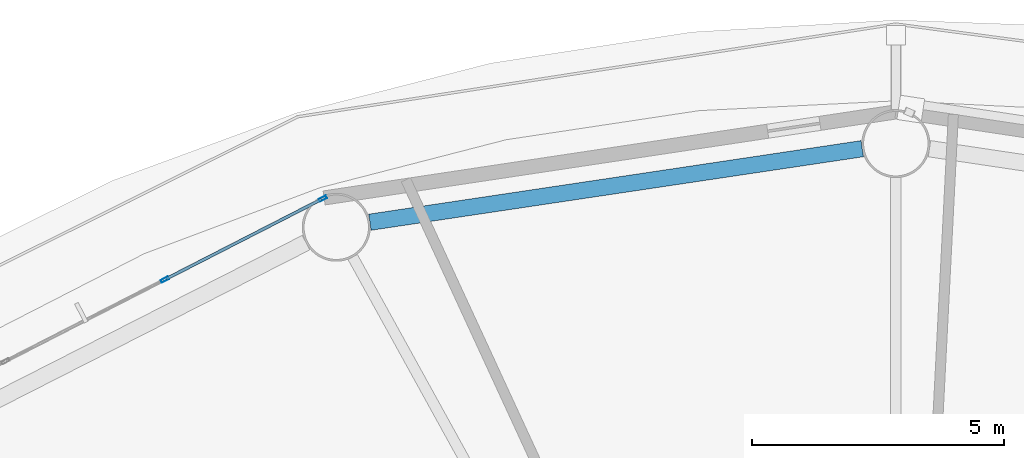
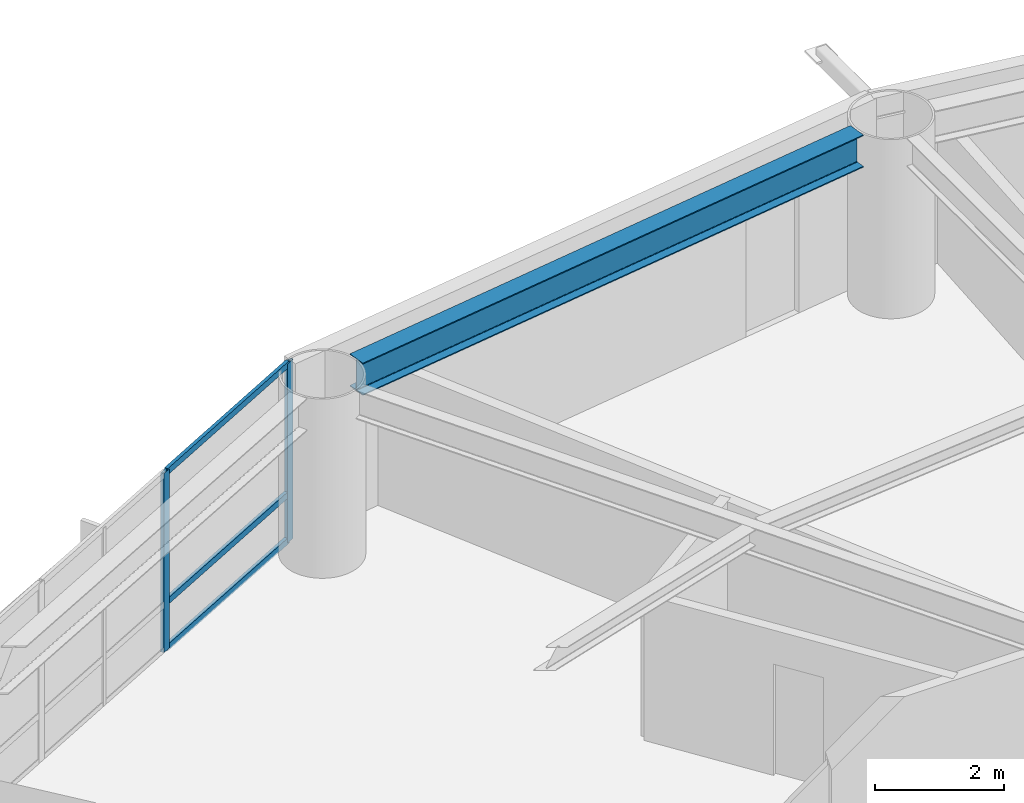
# One storey, part 10 of 24: 5 members, 1 beam, 1 element without a shape of its own.
"""IFC4 building model written with IfcOpenShell, lengths in metres."""

import ifcopenshell
import ifcopenshell.guid

model = None  # the IFC model being written
_history = None  # IfcOwnerHistory: only IFC2X3 demands one
_inside = {}  # id of a spatial element -> (the spatial element, [elements in it])
_under = {}  # id of a project, library or spatial element -> (it, [spatial elements below it])
_declared = {}  # id of a project -> (the project, [libraries it declares])
_typed = {}  # id of a type object -> (the type object, [elements of that type])
_made_of = {}  # id of a material, layer set ... -> (it, [elements and type objects made of it])


def new_model(schema):
    """Start an empty IFC model of exactly this schema.

    Asked for "IFC4X3", IfcOpenShell would pick the latest addendum, in which some entities
    have other attributes; the version numbers below select the first issue.
    IFC2X3 requires an IfcOwnerHistory on every rooted entity: one is made here for all.
    """
    global model, _history
    if schema == "IFC4X3":
        model = ifcopenshell.file(schema_version=(4, 3, 0, 0))
    else:
        model = ifcopenshell.file(schema=schema)
    _inside.clear()
    _under.clear()
    _declared.clear()
    _typed.clear()
    _made_of.clear()
    _history = None
    if model.schema == "IFC2X3":
        org = make("IfcOrganization", Name="unknown")
        user = make(
            "IfcPersonAndOrganization",
            ThePerson=make("IfcPerson", FamilyName="unknown"),
            TheOrganization=org,
        )
        app = make(
            "IfcApplication",
            ApplicationDeveloper=org,
            Version="unknown",
            ApplicationFullName="unknown",
            ApplicationIdentifier="unknown",
        )
        _history = make(
            "IfcOwnerHistory",
            OwningUser=user,
            OwningApplication=app,
            ChangeAction="ADDED",
            CreationDate=0,
        )
    return model


def make(cls, **values):
    """One entity of the class cls with the attributes given. An attribute that is None is left unset."""
    return model.create_entity(
        cls, **{name: value for name, value in values.items() if value is not None}
    )


def rooted(cls, **values):
    """An entity with a GlobalId (a new one), such as an element, a storey or a relation."""
    return make(cls, GlobalId=ifcopenshell.guid.new(), OwnerHistory=_history, **values)


def si_unit(unit_type, name, prefix=None):
    """IfcSIUnit, for example si_unit("LENGTHUNIT", "METRE", prefix="MILLI")."""
    return make("IfcSIUnit", UnitType=unit_type, Prefix=prefix, Name=name)


def assignment(units):
    """IfcUnitAssignment: the units of a project."""
    return None if units is None else make("IfcUnitAssignment", Units=units)


def point(xyz):
    """IfcCartesianPoint."""
    return None if xyz is None else make("IfcCartesianPoint", Coordinates=xyz)


def direction(xyz):
    """IfcDirection."""
    return None if xyz is None else make("IfcDirection", DirectionRatios=xyz)


def frame(location, z_axis=None, x_axis=None):
    """IfcAxis2Placement3D, a coordinate frame: its origin and axes. An axis left out is left unset."""
    return make(
        "IfcAxis2Placement3D",
        Location=point(location),
        Axis=direction(z_axis),
        RefDirection=direction(x_axis),
    )


def frame_2d(location, x_axis=None):
    """IfcAxis2Placement2D, a coordinate frame in the plane: its origin and x axis."""
    return make(
        "IfcAxis2Placement2D", Location=point(location), RefDirection=direction(x_axis)
    )


def origin():
    """The frame at (0, 0, 0) with its axes left unset."""
    return frame((0.0, 0.0, 0.0))


def origin_2d():
    """The frame at (0, 0) in the plane with its x axis left unset."""
    return frame_2d((0.0, 0.0))


def place(relative_to, where):
    """IfcLocalPlacement: puts the frame where relative to a parent placement (None: the world)."""
    return make(
        "IfcLocalPlacement", PlacementRelTo=relative_to, RelativePlacement=where
    )


def context(
    kind, dimensions, precision=None, world=None, true_north=None, identifier=None
):
    """IfcGeometricRepresentationContext, for example the 3D "Model" context."""
    return make(
        "IfcGeometricRepresentationContext",
        ContextIdentifier=identifier,
        ContextType=kind,
        CoordinateSpaceDimension=dimensions,
        Precision=precision,
        WorldCoordinateSystem=world,
        TrueNorth=true_north,
    )


def subcontext(parent, identifier, kind, view, scale=None):
    """IfcGeometricRepresentationSubContext, for example "Body" below "Model"."""
    return make(
        "IfcGeometricRepresentationSubContext",
        ContextIdentifier=identifier,
        ContextType=kind,
        ParentContext=parent,
        TargetScale=scale,
        TargetView=view,
    )


def project(units=None, contexts=None):
    """IfcProject with its units and contexts."""
    return rooted(
        "IfcProject",
        Name="project",
        RepresentationContexts=contexts,
        UnitsInContext=assignment(units),
    )


def spatial(cls, under=None, at=None, **own):
    """A site, building, storey or space (cls), placed at a placement, below another one or the project."""
    s = rooted(cls, ObjectPlacement=at, **own)
    if under is not None:
        _under.setdefault(under.id(), (under, []))[1].append(s)
    return s


def profile(cls, at=None, kind="AREA", **sizes):
    """A parametric profile (cls). Its sizes go by their IFC names, for example OverallWidth=200.0."""
    return make(cls, ProfileType=kind, Position=at, **sizes)


def hollow_rectangle(**sizes):
    """IfcRectangleHollowProfileDef."""
    return profile("IfcRectangleHollowProfileDef", **sizes)


def i_section(**sizes):
    """IfcIShapeProfileDef."""
    return profile("IfcIShapeProfileDef", **sizes)


def extrude(swept, where, along, depth):
    """IfcExtrudedAreaSolid: the profile swept, set in the frame where, extruded along a direction by depth."""
    return make(
        "IfcExtrudedAreaSolid",
        SweptArea=swept,
        Position=where,
        ExtrudedDirection=direction(along),
        Depth=depth,
    )


def shape(context_of_items, identifier, shape_type, items):
    """IfcShapeRepresentation: the items that make up one representation, for example the "Body"."""
    return make(
        "IfcShapeRepresentation",
        ContextOfItems=context_of_items,
        RepresentationIdentifier=identifier,
        RepresentationType=shape_type,
        Items=items,
    )


def material(Name=None, Category=None):
    """IfcMaterial."""
    return make("IfcMaterial", Name=Name, Category=Category)


def layer(
    of_material, thickness, ventilated=None, Name=None, Category=None, Priority=None
):
    """IfcMaterialLayer: one layer of a wall or slab, of a material (None: an air gap)."""
    return make(
        "IfcMaterialLayer",
        Material=of_material,
        LayerThickness=thickness,
        IsVentilated=ventilated,
        Name=Name,
        Category=Category,
        Priority=Priority,
    )


def layer_set(layers, Name=None):
    """IfcMaterialLayerSet."""
    return make("IfcMaterialLayerSet", MaterialLayers=layers, LayerSetName=Name)


def material_profile(
    of_material, cross_section, Name=None, Category=None, Priority=None
):
    """IfcMaterialProfile: a cross section and its material."""
    return make(
        "IfcMaterialProfile",
        Name=Name,
        Material=of_material,
        Profile=cross_section,
        Priority=Priority,
        Category=Category,
    )


def profile_set(profiles, Name=None, composite=None):
    """IfcMaterialProfileSet."""
    return make(
        "IfcMaterialProfileSet",
        Name=Name,
        MaterialProfiles=profiles,
        CompositeProfile=composite,
    )


def made_of(thing, what):
    """Note that an element or type object is made of a material, layer set ...; save() writes the relation."""
    if what is not None:
        _made_of.setdefault(what.id(), (what, []))[1].append(thing)
    return thing


def type_object(cls, material=None, **own):
    """A type object (cls), such as IfcWallType, which elements share."""
    return made_of(rooted(cls, **own), material)


def element(
    cls,
    number,
    at=None,
    inside=None,
    cuts=None,
    type_object=None,
    material=None,
    context=None,
    identifier="Body",
    shape_type=None,
    held_by="IfcProductDefinitionShape",
    body=None,
    shapes=None,
    **own,
):
    """One element of the class cls, such as IfcWall. Its Tag is "e" and its number.

    at: its placement. inside: the storey or other place that contains it. cuts: it is an
    opening in that element (IfcRelVoidsElement). A single representation is given by context,
    identifier, shape_type and body (its items); several are given by shapes. held_by: the class
    of the entity that holds the representations. save() writes the other relations.
    """
    e = rooted(cls, Tag="e%d" % number, ObjectPlacement=at, **own)
    if body is not None:
        shapes = [shape(context, identifier, shape_type, body)]
    if shapes is not None:
        e.Representation = make(held_by, Representations=shapes)
    if inside is not None:
        _inside.setdefault(inside.id(), (inside, []))[1].append(e)
    if cuts is not None:
        rooted(
            "IfcRelVoidsElement", RelatingBuildingElement=cuts, RelatedOpeningElement=e
        )
    if type_object is not None:
        _typed.setdefault(type_object.id(), (type_object, []))[1].append(e)
    return made_of(e, material)


def aggregate(whole, parts):
    """IfcRelAggregates: a whole, such as a stair, and the parts it consists of."""
    return rooted("IfcRelAggregates", RelatingObject=whole, RelatedObjects=parts)


def save(model, path):
    """Write the relations noted so far, then the file.

    IfcRelAggregates (storeys below a building ...), IfcRelContainedInSpatialStructure (elements
    in a storey), IfcRelDefinesByType, IfcRelAssociatesMaterial and IfcRelDeclares: one each for
    every whole, place, type object, material and project.
    """
    for whole, parts in _under.values():
        aggregate(whole, parts)
    for where, things in _inside.values():
        rooted(
            "IfcRelContainedInSpatialStructure",
            RelatedElements=things,
            RelatingStructure=where,
        )
    for kind, things in _typed.values():
        rooted("IfcRelDefinesByType", RelatedObjects=things, RelatingType=kind)
    for what, things in _made_of.values():
        rooted("IfcRelAssociatesMaterial", RelatedObjects=things, RelatingMaterial=what)
    for by, libraries in _declared.values():
        rooted("IfcRelDeclares", RelatingContext=by, RelatedDefinitions=libraries)
    model.write(path)


model = new_model("IFC4")

# Units and contexts
model_context = context("Model", 3, precision=1e-05, world=origin(), true_north=direction((0.0, 1.0)))
body_context = subcontext(model_context, "Body", "Model", "MODEL_VIEW")
ifc_project = project(units=[si_unit("LENGTHUNIT", "METRE"), si_unit("AREAUNIT", "SQUARE_METRE"), si_unit("VOLUMEUNIT", "CUBIC_METRE"), si_unit("PLANEANGLEUNIT", "RADIAN"), si_unit("MASSUNIT", "GRAM", prefix="KILO")], contexts=[model_context])

# Site, building, storey
site_placement = place(None, origin())
site = spatial("IfcSite", under=ifc_project, at=site_placement, CompositionType="ELEMENT")
building_placement = place(site_placement, origin())
building = spatial("IfcBuilding", under=site, at=building_placement, Name="Sarneth Arch Tower", CompositionType="ELEMENT")
storey_placement = place(building_placement, frame((0.0, 0.0, 91.199951171875)))
storey = spatial("IfcBuildingStorey", under=building, at=storey_placement, Name="L22", CompositionType="ELEMENT", Elevation=91.199951171875)

# Beam
ifc_material_1 = material(Name="Steel S355", Category="steel")
ifc_material_profile_1 = material_profile(ifc_material_1, i_section(OverallWidth=0.323974609375, OverallDepth=0.611083984375, WebThickness=0.0126953125, FlangeThickness=0.01904296875, FilletRadius=0.01904296875, at=origin_2d()), Name="W610x155")
ifc_profile_set_1 = profile_set([ifc_material_profile_1], Name="Steel S355")
beam_type = type_object("IfcBeamType", Name="BM-SPAN-610B", PredefinedType="SPANDREL", material=ifc_profile_set_1)
beam_placement = place(storey_placement, frame((47.33251953125, 63.7001953125, 3.074462890625), z_axis=(-0.989029828744, -0.147715936359, 0.0), x_axis=(0.147715936359, -0.989029828744, 0.0)))
element("IfcBeam", 1, at=beam_placement, inside=storey, type_object=beam_type, Name="L22 Perimeter spandrel beam 05", PredefinedType="SPANDREL", context=body_context, shape_type="SweptSolid", body=[
    extrude(i_section(OverallWidth=0.323974609375, OverallDepth=0.611083984375, WebThickness=0.0126953125, FlangeThickness=0.01904296875, FilletRadius=0.01904296875, at=origin_2d()), origin(), (0.0, 0.0, 1.0), 9.883544921875),
])

# Curtain wall, members
ifc_material_2 = material(Name="Anodised aluminium Type AA25 and solar-control low-e laminated IGU", Category="aluminium")
ifc_layer = layer(ifc_material_2, 0.159912109375)
ifc_layer_set = layer_set([ifc_layer], Name="Anodised aluminium Type AA25 and solar-control low-e laminated IGU")
curtain_wall_type = type_object("IfcCurtainWallType", Name="CW-HOTEL-MID", PredefinedType="NOTDEFINED", material=ifc_layer_set)
curtain_wall_placement = place(storey_placement, origin())
curtain_wall = element("IfcCurtainWall", 2, at=curtain_wall_placement, inside=storey, type_object=curtain_wall_type, Name="L22 Unitised curtain wall facet 06", PredefinedType="NOTDEFINED")
ifc_material_3 = material(Name="Anodised Aluminium 6063-T6", Category="aluminium")
ifc_material_profile_2 = material_profile(ifc_material_3, hollow_rectangle(XDim=0.06005859375, YDim=0.159912109375, WallThickness=0.00390625, at=origin_2d()), Name="AL-MULL-160x60x4")
ifc_profile_set_2 = profile_set([ifc_material_profile_2], Name="Anodised Aluminium 6063-T6")
member_type_1 = type_object("IfcMemberType", Name="CW-MULLION", PredefinedType="MULLION", material=ifc_profile_set_2)
member_1_placement = place(storey_placement, frame((36.6220703125, 62.708984375, 0.0), z_axis=(0.0, 0.0, 1.0), x_axis=(0.456031365356, -0.889963703649, 0.0)))
member_1 = element("IfcMember", 3, at=member_1_placement, type_object=member_type_1, Name="CW-SYS-4 mullion 1", PredefinedType="MULLION", context=body_context, shape_type="SweptSolid", body=[
    extrude(hollow_rectangle(XDim=0.06005859375, YDim=0.159912109375, WallThickness=0.00390625, at=origin_2d()), origin(), (0.0, 0.0, 1.0), 3.380126953125),
])
member_2_placement = place(storey_placement, frame((33.48583984375, 61.101806640625, 0.0), z_axis=(0.0, 0.0, 1.0), x_axis=(0.456031365356, -0.889963703649, 0.0)))
member_2 = element("IfcMember", 4, at=member_2_placement, type_object=member_type_1, Name="CW-SYS-4 mullion 2", PredefinedType="MULLION", context=body_context, shape_type="SweptSolid", body=[
    extrude(hollow_rectangle(XDim=0.06005859375, YDim=0.159912109375, WallThickness=0.00390625, at=origin_2d()), origin(), (0.0, 0.0, 1.0), 3.380126953125),
])
ifc_material_4 = material(Name="Anodised Aluminium 6063-T6", Category="aluminium")
ifc_material_profile_3 = material_profile(ifc_material_4, hollow_rectangle(XDim=0.06005859375, YDim=0.1201171875, WallThickness=0.00390625, at=origin_2d()), Name="AL-TRAN-120x60x4")
ifc_profile_set_3 = profile_set([ifc_material_profile_3], Name="Anodised Aluminium 6063-T6")
member_type_2 = type_object("IfcMemberType", Name="CW-TRANSOM", PredefinedType="USERDEFINED", material=ifc_profile_set_3)
member_3_placement = place(storey_placement, frame((36.595458984375, 62.6953125, 0.030029296875), z_axis=(-0.889957563627, -0.456043347658, 0.0), x_axis=(0.456043347658, -0.889957563627, 0.0)))
member_3 = element("IfcMember", 5, at=member_3_placement, type_object=member_type_2, Name="CW-SYS-4 transom 1.1", ObjectType="TRANSOM", PredefinedType="USERDEFINED", context=body_context, shape_type="SweptSolid", body=[
    extrude(hollow_rectangle(XDim=0.06005859375, YDim=0.1201171875, WallThickness=0.00390625, at=origin_2d()), origin(), (0.0, 0.0, 1.0), 3.464111328125),
])
member_4_placement = place(storey_placement, frame((36.595458984375, 62.6953125, 0.900146484375), z_axis=(-0.889957563627, -0.456043347658, 0.0), x_axis=(0.456043347658, -0.889957563627, 0.0)))
member_4 = element("IfcMember", 6, at=member_4_placement, type_object=member_type_2, Name="CW-SYS-4 transom 1.2", ObjectType="TRANSOM", PredefinedType="USERDEFINED", context=body_context, shape_type="SweptSolid", body=[
    extrude(hollow_rectangle(XDim=0.06005859375, YDim=0.1201171875, WallThickness=0.00390625, at=origin_2d()), origin(), (0.0, 0.0, 1.0), 3.464111328125),
])
member_5_placement = place(storey_placement, frame((36.595458984375, 62.6953125, 3.35009765625), z_axis=(-0.889957563627, -0.456043347658, 0.0), x_axis=(0.456043347658, -0.889957563627, 0.0)))
member_5 = element("IfcMember", 7, at=member_5_placement, type_object=member_type_2, Name="CW-SYS-4 transom 1.3", ObjectType="TRANSOM", PredefinedType="USERDEFINED", context=body_context, shape_type="SweptSolid", body=[
    extrude(hollow_rectangle(XDim=0.06005859375, YDim=0.1201171875, WallThickness=0.00390625, at=origin_2d()), origin(), (0.0, 0.0, 1.0), 3.464111328125),
])
aggregate(curtain_wall, [member_1, member_2, member_3, member_4, member_5])

save(model, "model.ifc")
